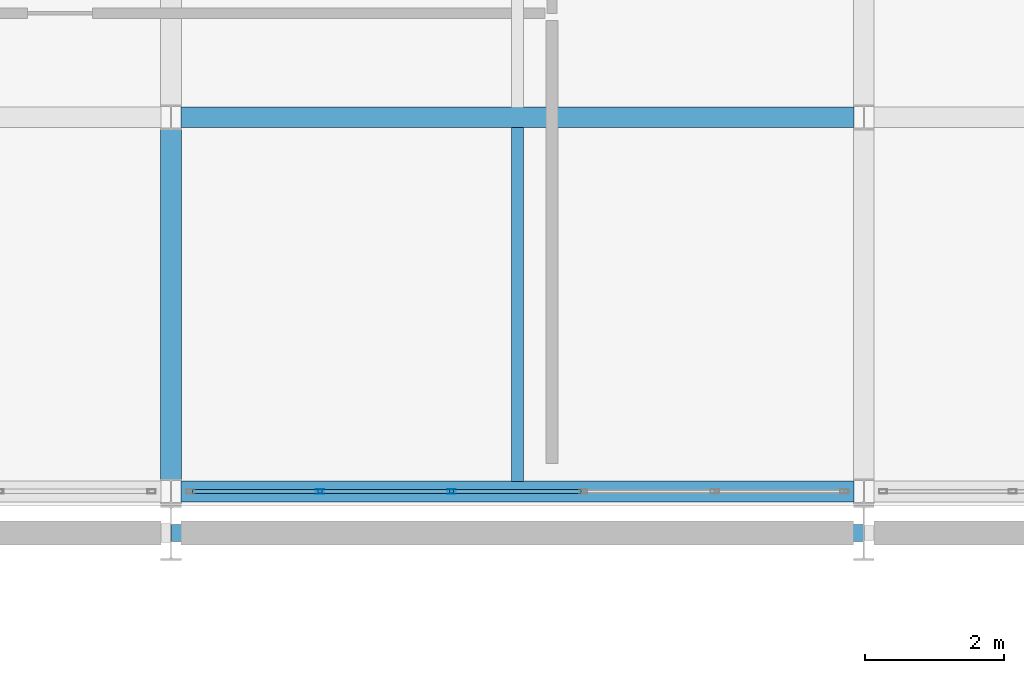
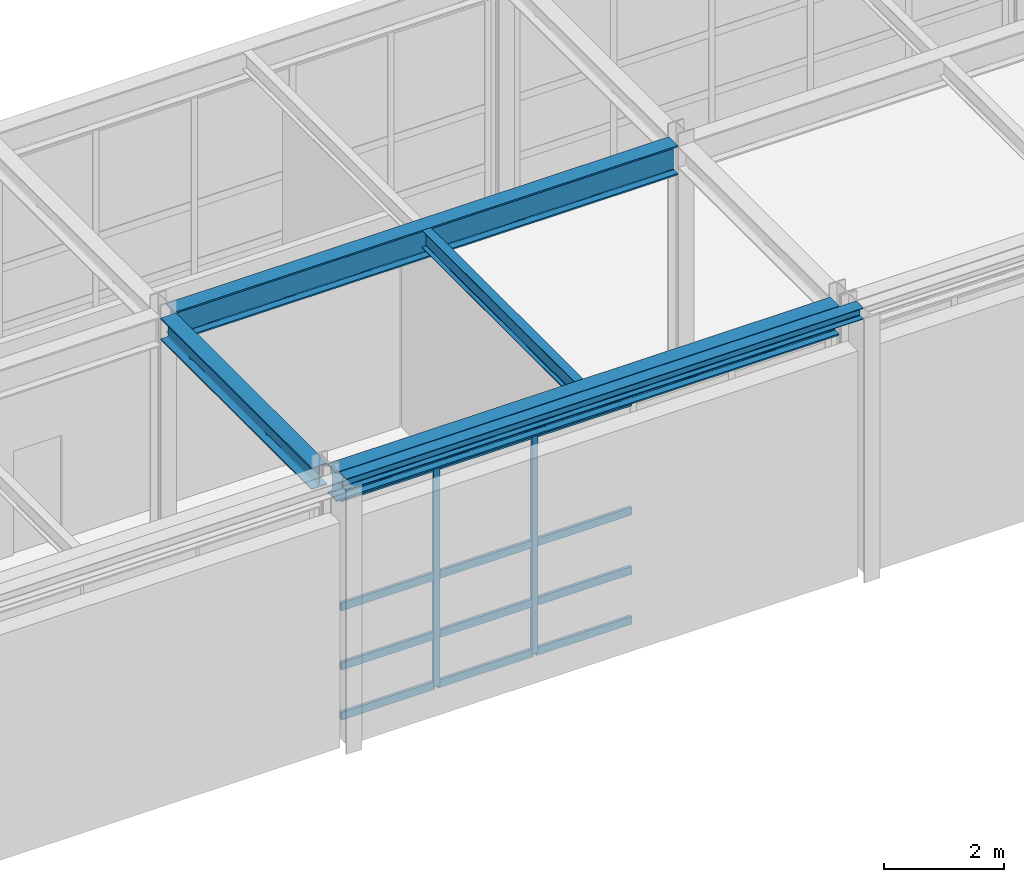
# One storey, part 120 of 210: 14 members, 5 beams, 1 element without a shape of its own.
"""IFC4 building model written with IfcOpenShell, lengths in metres."""

from ifc_helpers import new_model, si_unit, direction, frame, origin, origin_2d, place, context, subcontext, project, spatial, hollow_rectangle, i_section, extrude, material, material_profile, profile_set, type_object, element, aggregate, save


model = new_model("IFC4")

# Units and contexts
model_context = context("Model", 3, precision=1e-05, world=origin(), true_north=direction((0.0, 1.0)))
body_context = subcontext(model_context, "Body", "Model", "MODEL_VIEW")
ifc_project = project(units=[si_unit("LENGTHUNIT", "METRE"), si_unit("AREAUNIT", "SQUARE_METRE"), si_unit("VOLUMEUNIT", "CUBIC_METRE"), si_unit("PLANEANGLEUNIT", "RADIAN"), si_unit("MASSUNIT", "GRAM", prefix="KILO")], contexts=[model_context])

# Site, building, storey
site_placement = place(None, origin())
site = spatial("IfcSite", under=ifc_project, at=site_placement, CompositionType="ELEMENT")
building_placement = place(site_placement, origin())
building = spatial("IfcBuilding", under=site, at=building_placement, Name="Kaldris Quays Convention Centre", CompositionType="ELEMENT")
storey_placement = place(building_placement, frame((0.0, 0.0, 6.0)))
storey = spatial("IfcBuildingStorey", under=building, at=storey_placement, Name="L01", CompositionType="ELEMENT", Elevation=6.0)

# Curtain wall, members
ifc_material_1 = material(Name="Anodized aluminium AW-6060 and triple glazing", Category="aluminium")
curtain_wall_type = type_object("IfcCurtainWallType", Name="UNITISED CURTAIN WALL CW06", PredefinedType="NOTDEFINED", material=ifc_material_1)
curtain_wall_placement = place(storey_placement, origin())
curtain_wall = element("IfcCurtainWall", 1, at=curtain_wall_placement, inside=storey, type_object=curtain_wall_type, Name="L01 Unitised Curtain Wall CW06 162", PredefinedType="NOTDEFINED")
ifc_material_2 = material(Name="Anodized aluminium AW-6060", Category="aluminium")
ifc_material_profile_1 = material_profile(ifc_material_2, hollow_rectangle(XDim=0.06005859375, YDim=0.1201171875, WallThickness=0.00390625, at=origin_2d()), Name="RHS 120x60x4")
ifc_profile_set_1 = profile_set([ifc_material_profile_1], Name="Anodized aluminium AW-6060")
member_type_1 = type_object("IfcMemberType", Name="CURTAIN MULLION CWM3", PredefinedType="MULLION", material=ifc_profile_set_1)
member_1_placement = place(storey_placement, frame((176.14990234375, 104.60009765625, 0.0), z_axis=(0.0, 0.0, 1.0), x_axis=(0.0, 1.0, 0.0)))
member_1 = element("IfcMember", 2, at=member_1_placement, type_object=member_type_1, Name="CW06 mullion 2", PredefinedType="MULLION", context=body_context, shape_type="SweptSolid", body=[
    extrude(hollow_rectangle(XDim=0.06005859375, YDim=0.1201171875, WallThickness=0.00390625, at=origin_2d()), origin(), (0.0, 0.0, 1.0), 4.51806640625),
])
member_2_placement = place(storey_placement, frame((178.050048828125, 104.60009765625, 0.0), z_axis=(0.0, 0.0, 1.0), x_axis=(0.0, 1.0, 0.0)))
member_2 = element("IfcMember", 3, at=member_2_placement, type_object=member_type_1, Name="CW06 mullion 3", PredefinedType="MULLION", context=body_context, shape_type="SweptSolid", body=[
    extrude(hollow_rectangle(XDim=0.06005859375, YDim=0.1201171875, WallThickness=0.00390625, at=origin_2d()), origin(), (0.0, 0.0, 1.0), 4.51806640625),
])
ifc_material_profile_2 = material_profile(ifc_material_2, hollow_rectangle(XDim=0.06005859375, YDim=0.159912109375, WallThickness=0.00390625, at=origin_2d()), Name="RHS 160x60x4")
ifc_profile_set_2 = profile_set([ifc_material_profile_2], Name="Anodized aluminium AW-6060")
member_type_2 = type_object("IfcMemberType", Name="CURTAIN TRANSOM CWT2", PredefinedType="USERDEFINED", material=ifc_profile_set_2)
member_3_placement = place(storey_placement, frame((174.31005859375, 104.60009765625, 0.030029296875), z_axis=(1.0, 0.0, 0.0), x_axis=(0.0, 1.0, 0.0)))
member_3 = element("IfcMember", 4, at=member_3_placement, type_object=member_type_2, Name="CW06 transom 1.1", ObjectType="TRANSOM", PredefinedType="USERDEFINED", context=body_context, shape_type="SweptSolid", body=[
    extrude(hollow_rectangle(XDim=0.06005859375, YDim=0.159912109375, WallThickness=0.00390625, at=origin_2d()), origin(), (0.0, 0.0, 1.0), 1.81005859375),
])
member_4_placement = place(storey_placement, frame((174.31005859375, 104.60009765625, 1.050048828125), z_axis=(1.0, 0.0, 0.0), x_axis=(0.0, 1.0, 0.0)))
member_4 = element("IfcMember", 5, at=member_4_placement, type_object=member_type_2, Name="CW06 transom 1.2", ObjectType="TRANSOM", PredefinedType="USERDEFINED", context=body_context, shape_type="SweptSolid", body=[
    extrude(hollow_rectangle(XDim=0.06005859375, YDim=0.159912109375, WallThickness=0.00390625, at=origin_2d()), origin(), (0.0, 0.0, 1.0), 1.81005859375),
])
member_5_placement = place(storey_placement, frame((174.31005859375, 104.60009765625, 2.259033203125), z_axis=(1.0, 0.0, 0.0), x_axis=(0.0, 1.0, 0.0)))
member_5 = element("IfcMember", 6, at=member_5_placement, type_object=member_type_2, Name="CW06 transom 1.3", ObjectType="TRANSOM", PredefinedType="USERDEFINED", context=body_context, shape_type="SweptSolid", body=[
    extrude(hollow_rectangle(XDim=0.06005859375, YDim=0.159912109375, WallThickness=0.00390625, at=origin_2d()), origin(), (0.0, 0.0, 1.0), 1.81005859375),
])
member_6_placement = place(storey_placement, frame((174.31005859375, 104.60009765625, 4.488037109375), z_axis=(1.0, 0.0, 0.0), x_axis=(0.0, 1.0, 0.0)))
member_6 = element("IfcMember", 7, at=member_6_placement, type_object=member_type_2, Name="CW06 transom 1.4", ObjectType="TRANSOM", PredefinedType="USERDEFINED", context=body_context, shape_type="SweptSolid", body=[
    extrude(hollow_rectangle(XDim=0.06005859375, YDim=0.159912109375, WallThickness=0.00390625, at=origin_2d()), origin(), (0.0, 0.0, 1.0), 1.81005859375),
])
member_7_placement = place(storey_placement, frame((176.179931640625, 104.60009765625, 0.030029296875), z_axis=(1.0, 0.0, 0.0), x_axis=(0.0, 1.0, 0.0)))
member_7 = element("IfcMember", 8, at=member_7_placement, type_object=member_type_2, Name="CW06 transom 2.1", ObjectType="TRANSOM", PredefinedType="USERDEFINED", context=body_context, shape_type="SweptSolid", body=[
    extrude(hollow_rectangle(XDim=0.06005859375, YDim=0.159912109375, WallThickness=0.00390625, at=origin_2d()), origin(), (0.0, 0.0, 1.0), 1.840087890625),
])
member_8_placement = place(storey_placement, frame((176.179931640625, 104.60009765625, 1.050048828125), z_axis=(1.0, 0.0, 0.0), x_axis=(0.0, 1.0, 0.0)))
member_8 = element("IfcMember", 9, at=member_8_placement, type_object=member_type_2, Name="CW06 transom 2.2", ObjectType="TRANSOM", PredefinedType="USERDEFINED", context=body_context, shape_type="SweptSolid", body=[
    extrude(hollow_rectangle(XDim=0.06005859375, YDim=0.159912109375, WallThickness=0.00390625, at=origin_2d()), origin(), (0.0, 0.0, 1.0), 1.840087890625),
])
member_9_placement = place(storey_placement, frame((176.179931640625, 104.60009765625, 2.259033203125), z_axis=(1.0, 0.0, 0.0), x_axis=(0.0, 1.0, 0.0)))
member_9 = element("IfcMember", 10, at=member_9_placement, type_object=member_type_2, Name="CW06 transom 2.3", ObjectType="TRANSOM", PredefinedType="USERDEFINED", context=body_context, shape_type="SweptSolid", body=[
    extrude(hollow_rectangle(XDim=0.06005859375, YDim=0.159912109375, WallThickness=0.00390625, at=origin_2d()), origin(), (0.0, 0.0, 1.0), 1.840087890625),
])
member_10_placement = place(storey_placement, frame((176.179931640625, 104.60009765625, 4.488037109375), z_axis=(1.0, 0.0, 0.0), x_axis=(0.0, 1.0, 0.0)))
member_10 = element("IfcMember", 11, at=member_10_placement, type_object=member_type_2, Name="CW06 transom 2.4", ObjectType="TRANSOM", PredefinedType="USERDEFINED", context=body_context, shape_type="SweptSolid", body=[
    extrude(hollow_rectangle(XDim=0.06005859375, YDim=0.159912109375, WallThickness=0.00390625, at=origin_2d()), origin(), (0.0, 0.0, 1.0), 1.840087890625),
])
member_11_placement = place(storey_placement, frame((178.080078125, 104.60009765625, 0.030029296875), z_axis=(1.0, 0.0, 0.0), x_axis=(0.0, 1.0, 0.0)))
member_11 = element("IfcMember", 12, at=member_11_placement, type_object=member_type_2, Name="CW06 transom 3.1", ObjectType="TRANSOM", PredefinedType="USERDEFINED", context=body_context, shape_type="SweptSolid", body=[
    extrude(hollow_rectangle(XDim=0.06005859375, YDim=0.159912109375, WallThickness=0.00390625, at=origin_2d()), origin(), (0.0, 0.0, 1.0), 1.83984375),
])
member_12_placement = place(storey_placement, frame((178.080078125, 104.60009765625, 1.050048828125), z_axis=(1.0, 0.0, 0.0), x_axis=(0.0, 1.0, 0.0)))
member_12 = element("IfcMember", 13, at=member_12_placement, type_object=member_type_2, Name="CW06 transom 3.2", ObjectType="TRANSOM", PredefinedType="USERDEFINED", context=body_context, shape_type="SweptSolid", body=[
    extrude(hollow_rectangle(XDim=0.06005859375, YDim=0.159912109375, WallThickness=0.00390625, at=origin_2d()), origin(), (0.0, 0.0, 1.0), 1.83984375),
])
member_13_placement = place(storey_placement, frame((178.080078125, 104.60009765625, 2.259033203125), z_axis=(1.0, 0.0, 0.0), x_axis=(0.0, 1.0, 0.0)))
member_13 = element("IfcMember", 14, at=member_13_placement, type_object=member_type_2, Name="CW06 transom 3.3", ObjectType="TRANSOM", PredefinedType="USERDEFINED", context=body_context, shape_type="SweptSolid", body=[
    extrude(hollow_rectangle(XDim=0.06005859375, YDim=0.159912109375, WallThickness=0.00390625, at=origin_2d()), origin(), (0.0, 0.0, 1.0), 1.83984375),
])
member_14_placement = place(storey_placement, frame((178.080078125, 104.60009765625, 4.488037109375), z_axis=(1.0, 0.0, 0.0), x_axis=(0.0, 1.0, 0.0)))
member_14 = element("IfcMember", 15, at=member_14_placement, type_object=member_type_2, Name="CW06 transom 3.4", ObjectType="TRANSOM", PredefinedType="USERDEFINED", context=body_context, shape_type="SweptSolid", body=[
    extrude(hollow_rectangle(XDim=0.06005859375, YDim=0.159912109375, WallThickness=0.00390625, at=origin_2d()), origin(), (0.0, 0.0, 1.0), 1.83984375),
])
aggregate(curtain_wall, [member_1, member_2, member_3, member_4, member_5, member_6, member_7, member_8, member_9, member_10, member_11, member_12, member_13, member_14])

# Beams
ifc_material_3 = material(Name="Steel S355J2", Category="steel")
ifc_material_profile_3 = material_profile(ifc_material_3, i_section(OverallWidth=0.300048828125, OverallDepth=0.60009765625, WebThickness=0.015380859375, FlangeThickness=0.030029296875, FilletRadius=0.027099609375, at=origin_2d()), Name="HEB 600")
ifc_profile_set_3 = profile_set([ifc_material_profile_3], Name="Steel S355J2")
beam_type_1 = type_object("IfcBeamType", Name="STRUCTURAL BEAM BM05", PredefinedType="BEAM", material=ifc_profile_set_3)
for number, where, z_axis, x_axis, name in (
    (16, (174.14404296875, 104.60009765625, 4.843017578125), (1.0, 0.0, 0.0), (0.0, 1.0, 0.0), "L01 Girder BM05 44"),
    (17, (174.14404296875, 110.0, 4.843017578125), (1.0, 0.0, 0.0), (0.0, 1.0, 0.0), "L01 Girder BM05 49"),
):
    element("IfcBeam", number, at=place(storey_placement, frame(where, z_axis=z_axis, x_axis=x_axis)), inside=storey, type_object=beam_type_1, Name=name, PredefinedType="BEAM", context=body_context, shape_type="SweptSolid", body=[
        extrude(i_section(OverallWidth=0.300048828125, OverallDepth=0.60009765625, WebThickness=0.015380859375, FlangeThickness=0.030029296875, FilletRadius=0.027099609375, at=origin_2d()), origin(), (0.0, 0.0, 1.0), 9.7119140625),
    ])
ifc_material_profile_4 = material_profile(ifc_material_3, i_section(OverallWidth=0.300048828125, OverallDepth=0.449951171875, WebThickness=0.013916015625, FlangeThickness=0.02587890625, FilletRadius=0.027099609375, at=origin_2d()), Name="HEB 450")
ifc_profile_set_4 = profile_set([ifc_material_profile_4], Name="Steel S355J2")
beam_type_2 = type_object("IfcBeamType", Name="STRUCTURAL BEAM BM07", PredefinedType="BEAM", material=ifc_profile_set_4)
beam_1_placement = place(storey_placement, frame((174.0, 104.77392578125, 4.91796875), z_axis=(0.0, 1.0, 0.0), x_axis=(-1.0, 0.0, 0.0)))
element("IfcBeam", 18, at=beam_1_placement, inside=storey, type_object=beam_type_2, Name="L01 Girder BM07 104", PredefinedType="BEAM", context=body_context, shape_type="SweptSolid", body=[
    extrude(i_section(OverallWidth=0.300048828125, OverallDepth=0.449951171875, WebThickness=0.013916015625, FlangeThickness=0.02587890625, FilletRadius=0.027099609375, at=origin_2d()), origin(), (0.0, 0.0, 1.0), 5.052001953125),
])
ifc_material_profile_5 = material_profile(ifc_material_3, i_section(OverallWidth=0.169921875, OverallDepth=0.360107421875, WebThickness=0.008056640625, FlangeThickness=0.0126953125, FilletRadius=0.01806640625, at=origin_2d()), Name="IPE 360")
ifc_profile_set_5 = profile_set([ifc_material_profile_5], Name="Steel S355J2")
beam_type_3 = type_object("IfcBeamType", Name="STRUCTURAL BEAM JT03", PredefinedType="JOIST", material=ifc_profile_set_5)
beam_2_placement = place(storey_placement, frame((179.0, 104.743896484375, 4.962890625), z_axis=(0.0, 1.0, 0.0), x_axis=(-1.0, 0.0, 0.0)))
element("IfcBeam", 19, at=beam_2_placement, inside=storey, type_object=beam_type_3, Name="L01 Secondary Joist JT03 29", PredefinedType="JOIST", context=body_context, shape_type="SweptSolid", body=[
    extrude(i_section(OverallWidth=0.169921875, OverallDepth=0.360107421875, WebThickness=0.008056640625, FlangeThickness=0.0126953125, FilletRadius=0.01806640625, at=origin_2d()), origin(), (0.0, 0.0, 1.0), 5.112060546875),
])
ifc_material_profile_6 = material_profile(ifc_material_3, i_section(OverallWidth=0.239990234375, OverallDepth=0.22998046875, WebThickness=0.007568359375, FlangeThickness=0.011962890625, FilletRadius=0.02099609375, at=origin_2d()), Name="HEA 240")
ifc_profile_set_6 = profile_set([ifc_material_profile_6], Name="Steel S355J2")
beam_type_4 = type_object("IfcBeamType", Name="STRUCTURAL BEAM SP04", PredefinedType="SPANDREL", material=ifc_profile_set_6)
beam_3_placement = place(storey_placement, frame((174.006103515625, 104.0, 5.284912109375), z_axis=(1.0, 0.0, 0.0), x_axis=(0.0, 1.0, 0.0)))
element("IfcBeam", 20, at=beam_3_placement, inside=storey, type_object=beam_type_4, Name="L01 Perimeter Wall-Bearing Spandrel SP04 40", PredefinedType="SPANDREL", context=body_context, shape_type="SweptSolid", body=[
    extrude(i_section(OverallWidth=0.239990234375, OverallDepth=0.22998046875, WebThickness=0.007568359375, FlangeThickness=0.011962890625, FilletRadius=0.02099609375, at=origin_2d()), origin(), (0.0, 0.0, 1.0), 9.98779296875),
])

save(model, "model.ifc")
